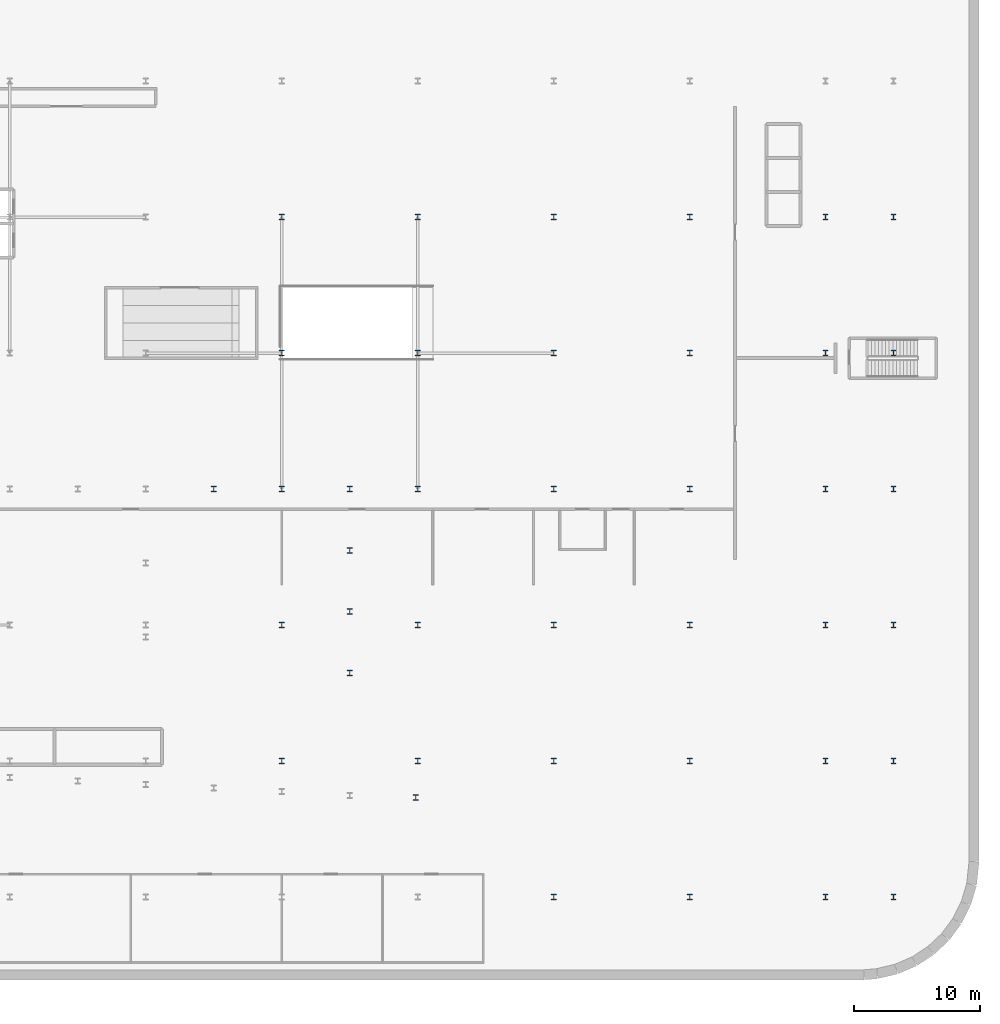
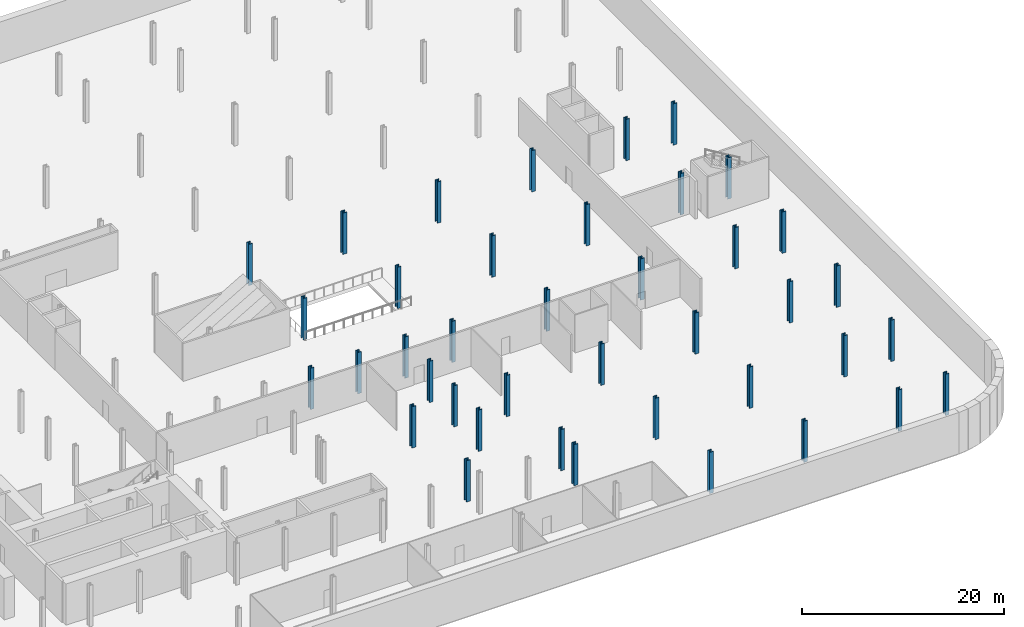
# One storey, part 2 of 19: 40 columns.
"""IFC4 building model written with IfcOpenShell, lengths in metres."""

from ifc_helpers import new_model, si_unit, direction, frame, origin, origin_2d, place, context, subcontext, project, spatial, i_section, extrude, material, material_profile, profile_set, type_object, element, save


model = new_model("IFC4")

# Units and contexts
model_context = context("Model", 3, precision=1e-05, world=origin(), true_north=direction((0.0, 1.0)))
body_context = subcontext(model_context, "Body", "Model", "MODEL_VIEW")
ifc_project = project(units=[si_unit("LENGTHUNIT", "METRE"), si_unit("AREAUNIT", "SQUARE_METRE"), si_unit("VOLUMEUNIT", "CUBIC_METRE"), si_unit("PLANEANGLEUNIT", "RADIAN"), si_unit("MASSUNIT", "GRAM", prefix="KILO")], contexts=[model_context])

# Site, building, storey
site_placement = place(None, origin())
site = spatial("IfcSite", under=ifc_project, at=site_placement, CompositionType="ELEMENT")
building_placement = place(site_placement, origin())
building = spatial("IfcBuilding", under=site, at=building_placement, Name="Kheshtan School and Residences Tower", CompositionType="ELEMENT")
storey_placement = place(building_placement, frame((0.0, 0.0, -5.0)))
storey = spatial("IfcBuildingStorey", under=building, at=storey_placement, Name="B1", CompositionType="ELEMENT", Elevation=-5.0)

# Columns
ifc_material = material(Name="Steel ASTM A992 Grade 50", Category="steel")
ifc_material_profile = material_profile(ifc_material, i_section(OverallWidth=0.424072265625, OverallDepth=0.47412109375, WebThickness=0.047607421875, FlangeThickness=0.0771484375, FilletRadius=0.01416015625, at=origin_2d()), Name="W360x634")
ifc_profile_set = profile_set([ifc_material_profile], Name="Steel ASTM A992 Grade 50")
column_type = type_object("IfcColumnType", Name="Column PC1 W360x634 ASTM A992 Grade 50", PredefinedType="COLUMN", material=ifc_profile_set)
for number, where, z_axis, x_axis, name in (
    (1, (101.60009765625, 13.199951171875, 0.0), (0.0, 0.0, 1.0), (1.0, 0.0, 0.0), "Column P-009"),
    (2, (112.39990234375, 13.199951171875, 0.0), (0.0, 0.0, 1.0), (1.0, 0.0, 0.0), "Column P-010"),
    (3, (123.199951171875, 13.199951171875, 0.0), (0.0, 0.0, 1.0), (1.0, 0.0, 0.0), "Column P-011"),
    (4, (128.60009765625, 13.199951171875, 0.0), (0.0, 0.0, 1.0), (1.0, 0.0, 0.0), "Column P-012"),
    (5, (80.0, 24.0, 0.0), (0.0, 0.0, 1.0), (1.0, 0.0, 0.0), "Column P-019"),
    (6, (90.800048828125, 24.0, 0.0), (0.0, 0.0, 1.0), (1.0, 0.0, 0.0), "Column P-020"),
    (7, (101.60009765625, 24.0, 0.0), (0.0, 0.0, 1.0), (1.0, 0.0, 0.0), "Column P-021"),
    (8, (112.39990234375, 24.0, 0.0), (0.0, 0.0, 1.0), (1.0, 0.0, 0.0), "Column P-022"),
    (9, (123.199951171875, 24.0, 0.0), (0.0, 0.0, 1.0), (1.0, 0.0, 0.0), "Column P-023"),
    (10, (128.60009765625, 24.0, 0.0), (0.0, 0.0, 1.0), (1.0, 0.0, 0.0), "Column P-024"),
    (11, (80.0, 34.800048828125, 0.0), (0.0, 0.0, 1.0), (1.0, 0.0, 0.0), "Column P-031"),
    (12, (90.800048828125, 34.800048828125, 0.0), (0.0, 0.0, 1.0), (1.0, 0.0, 0.0), "Column P-032"),
    (13, (101.60009765625, 34.800048828125, 0.0), (0.0, 0.0, 1.0), (1.0, 0.0, 0.0), "Column P-033"),
    (14, (112.39990234375, 34.800048828125, 0.0), (0.0, 0.0, 1.0), (1.0, 0.0, 0.0), "Column P-034"),
    (15, (123.199951171875, 34.800048828125, 0.0), (0.0, 0.0, 1.0), (1.0, 0.0, 0.0), "Column P-035"),
    (16, (128.60009765625, 34.800048828125, 0.0), (0.0, 0.0, 1.0), (1.0, 0.0, 0.0), "Column P-036"),
    (17, (80.0, 45.60009765625, 0.0), (0.0, 0.0, 1.0), (1.0, 0.0, 0.0), "Column P-043"),
    (18, (90.800048828125, 45.60009765625, 0.0), (0.0, 0.0, 1.0), (1.0, 0.0, 0.0), "Column P-044"),
    (19, (101.60009765625, 45.60009765625, 0.0), (0.0, 0.0, 1.0), (1.0, 0.0, 0.0), "Column P-045"),
    (20, (112.39990234375, 45.60009765625, 0.0), (0.0, 0.0, 1.0), (1.0, 0.0, 0.0), "Column P-046"),
    (21, (123.199951171875, 45.60009765625, 0.0), (0.0, 0.0, 1.0), (1.0, 0.0, 0.0), "Column P-047"),
    (22, (128.60009765625, 45.60009765625, 0.0), (0.0, 0.0, 1.0), (1.0, 0.0, 0.0), "Column P-048"),
    (23, (80.0, 56.39990234375, 0.0), (0.0, 0.0, 1.0), (1.0, 0.0, 0.0), "Column P-055"),
    (24, (90.800048828125, 56.39990234375, 0.0), (0.0, 0.0, 1.0), (1.0, 0.0, 0.0), "Column P-056"),
    (25, (101.60009765625, 56.39990234375, 0.0), (0.0, 0.0, 1.0), (1.0, 0.0, 0.0), "Column P-057"),
    (26, (112.39990234375, 56.39990234375, 0.0), (0.0, 0.0, 1.0), (1.0, 0.0, 0.0), "Column P-058"),
    (27, (123.199951171875, 56.39990234375, 0.0), (0.0, 0.0, 1.0), (1.0, 0.0, 0.0), "Column P-059"),
    (28, (128.60009765625, 56.39990234375, 0.0), (0.0, 0.0, 1.0), (1.0, 0.0, 0.0), "Column P-060"),
    (29, (80.0, 67.199951171875, 0.0), (0.0, 0.0, 1.0), (1.0, 0.0, 0.0), "Column P-067"),
    (30, (90.800048828125, 67.199951171875, 0.0), (0.0, 0.0, 1.0), (1.0, 0.0, 0.0), "Column P-068"),
    (31, (101.60009765625, 67.199951171875, 0.0), (0.0, 0.0, 1.0), (1.0, 0.0, 0.0), "Column P-069"),
    (32, (112.39990234375, 67.199951171875, 0.0), (0.0, 0.0, 1.0), (1.0, 0.0, 0.0), "Column P-070"),
    (33, (123.199951171875, 67.199951171875, 0.0), (0.0, 0.0, 1.0), (1.0, 0.0, 0.0), "Column P-071"),
    (34, (128.60009765625, 67.199951171875, 0.0), (0.0, 0.0, 1.0), (1.0, 0.0, 0.0), "Column P-072"),
    (35, (90.639892578125, 21.110107421875, 0.0), (0.0, 0.0, 1.0), (1.0, 0.0, 0.0), "Transfer column X01"),
    (36, (74.60009765625, 45.60009765625, 0.0), (0.0, 0.0, 1.0), (1.0, 0.0, 0.0), "Transfer column X18"),
    (37, (85.39990234375, 45.60009765625, 0.0), (0.0, 0.0, 1.0), (1.0, 0.0, 0.0), "Transfer column X19"),
    (38, (85.39990234375, 31.0, 0.0), (0.0, 0.0, 1.0), (1.0, 0.0, 0.0), "Transfer column X35"),
    (39, (85.39990234375, 35.8701171875, 0.0), (0.0, 0.0, 1.0), (1.0, 0.0, 0.0), "Transfer column X38"),
    (40, (85.39990234375, 40.72998046875, 0.0), (0.0, 0.0, 1.0), (1.0, 0.0, 0.0), "Transfer column X41"),
):
    element("IfcColumn", number, at=place(storey_placement, frame(where, z_axis=z_axis, x_axis=x_axis)), inside=storey, type_object=column_type, Name=name, PredefinedType="COLUMN", context=body_context, shape_type="SweptSolid", body=[
        extrude(i_section(OverallWidth=0.424072265625, OverallDepth=0.47412109375, WebThickness=0.047607421875, FlangeThickness=0.0771484375, FilletRadius=0.01416015625, at=origin_2d()), origin(), (0.0, 0.0, 1.0), 5.0),
    ])

save(model, "model.ifc")
